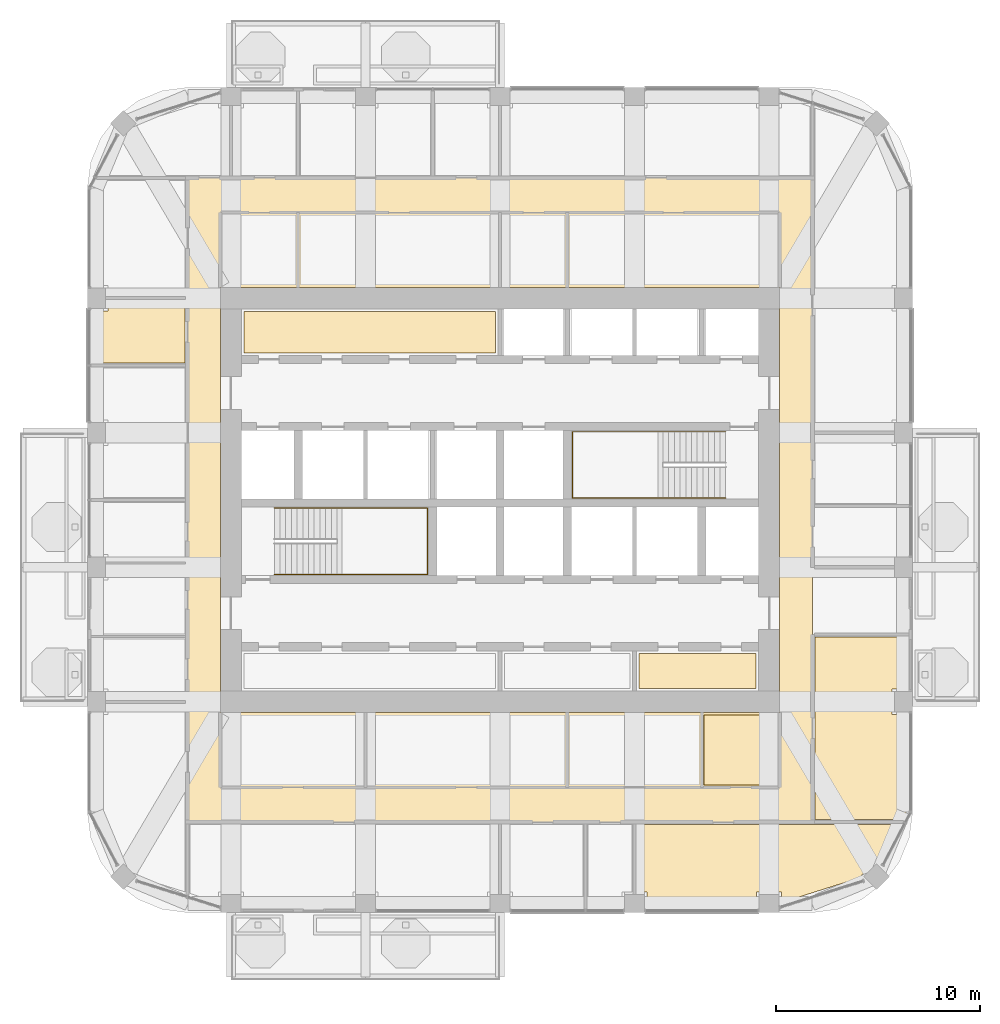
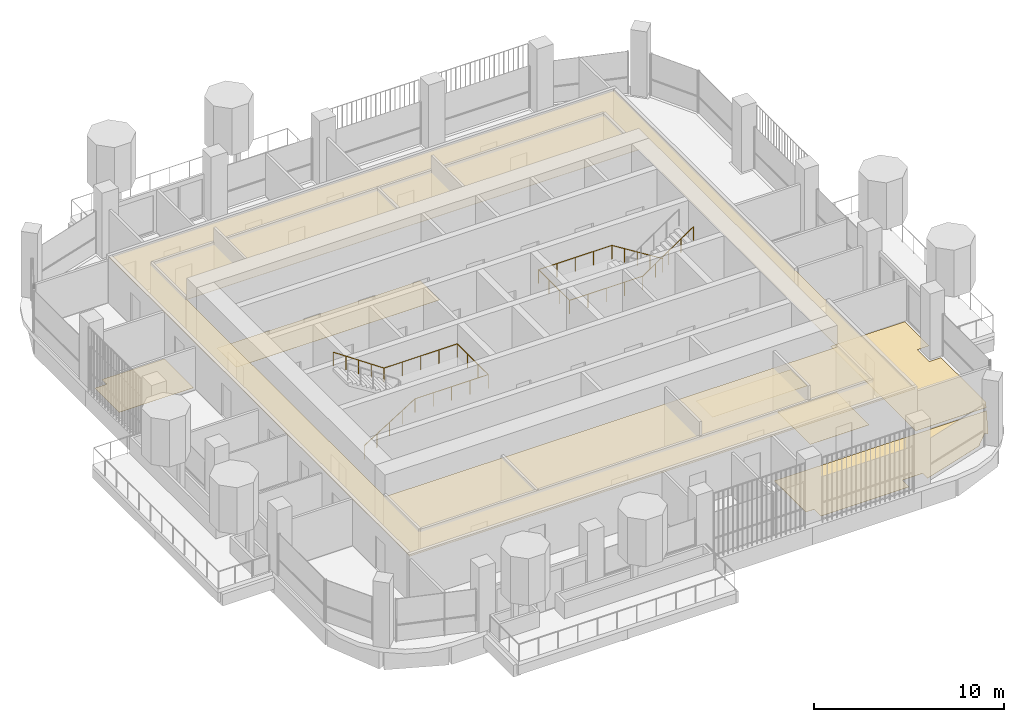
# One storey, part 16 of 18: 7 coverings, 2 railings.
"""IFC4 building model written with IfcOpenShell, lengths in metres."""

import ifcopenshell
import ifcopenshell.guid

model = None  # the IFC model being written
_history = None  # IfcOwnerHistory: only IFC2X3 demands one
_inside = {}  # id of a spatial element -> (the spatial element, [elements in it])
_under = {}  # id of a project, library or spatial element -> (it, [spatial elements below it])
_declared = {}  # id of a project -> (the project, [libraries it declares])
_typed = {}  # id of a type object -> (the type object, [elements of that type])
_made_of = {}  # id of a material, layer set ... -> (it, [elements and type objects made of it])


def new_model(schema):
    """Start an empty IFC model of exactly this schema.

    Asked for "IFC4X3", IfcOpenShell would pick the latest addendum, in which some entities
    have other attributes; the version numbers below select the first issue.
    IFC2X3 requires an IfcOwnerHistory on every rooted entity: one is made here for all.
    """
    global model, _history
    if schema == "IFC4X3":
        model = ifcopenshell.file(schema_version=(4, 3, 0, 0))
    else:
        model = ifcopenshell.file(schema=schema)
    _inside.clear()
    _under.clear()
    _declared.clear()
    _typed.clear()
    _made_of.clear()
    _history = None
    if model.schema == "IFC2X3":
        org = make("IfcOrganization", Name="unknown")
        user = make(
            "IfcPersonAndOrganization",
            ThePerson=make("IfcPerson", FamilyName="unknown"),
            TheOrganization=org,
        )
        app = make(
            "IfcApplication",
            ApplicationDeveloper=org,
            Version="unknown",
            ApplicationFullName="unknown",
            ApplicationIdentifier="unknown",
        )
        _history = make(
            "IfcOwnerHistory",
            OwningUser=user,
            OwningApplication=app,
            ChangeAction="ADDED",
            CreationDate=0,
        )
    return model


def make(cls, **values):
    """One entity of the class cls with the attributes given. An attribute that is None is left unset."""
    return model.create_entity(
        cls, **{name: value for name, value in values.items() if value is not None}
    )


def rooted(cls, **values):
    """An entity with a GlobalId (a new one), such as an element, a storey or a relation."""
    return make(cls, GlobalId=ifcopenshell.guid.new(), OwnerHistory=_history, **values)


def si_unit(unit_type, name, prefix=None):
    """IfcSIUnit, for example si_unit("LENGTHUNIT", "METRE", prefix="MILLI")."""
    return make("IfcSIUnit", UnitType=unit_type, Prefix=prefix, Name=name)


def assignment(units):
    """IfcUnitAssignment: the units of a project."""
    return None if units is None else make("IfcUnitAssignment", Units=units)


def point(xyz):
    """IfcCartesianPoint."""
    return None if xyz is None else make("IfcCartesianPoint", Coordinates=xyz)


def direction(xyz):
    """IfcDirection."""
    return None if xyz is None else make("IfcDirection", DirectionRatios=xyz)


def frame(location, z_axis=None, x_axis=None):
    """IfcAxis2Placement3D, a coordinate frame: its origin and axes. An axis left out is left unset."""
    return make(
        "IfcAxis2Placement3D",
        Location=point(location),
        Axis=direction(z_axis),
        RefDirection=direction(x_axis),
    )


def origin():
    """The frame at (0, 0, 0) with its axes left unset."""
    return frame((0.0, 0.0, 0.0))


def place(relative_to, where):
    """IfcLocalPlacement: puts the frame where relative to a parent placement (None: the world)."""
    return make(
        "IfcLocalPlacement", PlacementRelTo=relative_to, RelativePlacement=where
    )


def context(
    kind, dimensions, precision=None, world=None, true_north=None, identifier=None
):
    """IfcGeometricRepresentationContext, for example the 3D "Model" context."""
    return make(
        "IfcGeometricRepresentationContext",
        ContextIdentifier=identifier,
        ContextType=kind,
        CoordinateSpaceDimension=dimensions,
        Precision=precision,
        WorldCoordinateSystem=world,
        TrueNorth=true_north,
    )


def subcontext(parent, identifier, kind, view, scale=None):
    """IfcGeometricRepresentationSubContext, for example "Body" below "Model"."""
    return make(
        "IfcGeometricRepresentationSubContext",
        ContextIdentifier=identifier,
        ContextType=kind,
        ParentContext=parent,
        TargetScale=scale,
        TargetView=view,
    )


def project(units=None, contexts=None):
    """IfcProject with its units and contexts."""
    return rooted(
        "IfcProject",
        Name="project",
        RepresentationContexts=contexts,
        UnitsInContext=assignment(units),
    )


def spatial(cls, under=None, at=None, **own):
    """A site, building, storey or space (cls), placed at a placement, below another one or the project."""
    s = rooted(cls, ObjectPlacement=at, **own)
    if under is not None:
        _under.setdefault(under.id(), (under, []))[1].append(s)
    return s


def polyline(points):
    """IfcPolyline through the points."""
    return make("IfcPolyline", Points=[point(p) for p in points])


def outline(outer, holes=None, kind="AREA"):
    """IfcArbitraryClosedProfileDef: a profile drawn as a closed curve; with holes, ...WithVoids."""
    if holes is None:
        return make("IfcArbitraryClosedProfileDef", ProfileType=kind, OuterCurve=outer)
    return make(
        "IfcArbitraryProfileDefWithVoids",
        ProfileType=kind,
        OuterCurve=outer,
        InnerCurves=holes,
    )


def extrude(swept, where, along, depth):
    """IfcExtrudedAreaSolid: the profile swept, set in the frame where, extruded along a direction by depth."""
    return make(
        "IfcExtrudedAreaSolid",
        SweptArea=swept,
        Position=where,
        ExtrudedDirection=direction(along),
        Depth=depth,
    )


def shape(context_of_items, identifier, shape_type, items):
    """IfcShapeRepresentation: the items that make up one representation, for example the "Body"."""
    return make(
        "IfcShapeRepresentation",
        ContextOfItems=context_of_items,
        RepresentationIdentifier=identifier,
        RepresentationType=shape_type,
        Items=items,
    )


def material(Name=None, Category=None):
    """IfcMaterial."""
    return make("IfcMaterial", Name=Name, Category=Category)


def layer(
    of_material, thickness, ventilated=None, Name=None, Category=None, Priority=None
):
    """IfcMaterialLayer: one layer of a wall or slab, of a material (None: an air gap)."""
    return make(
        "IfcMaterialLayer",
        Material=of_material,
        LayerThickness=thickness,
        IsVentilated=ventilated,
        Name=Name,
        Category=Category,
        Priority=Priority,
    )


def layer_set(layers, Name=None):
    """IfcMaterialLayerSet."""
    return make("IfcMaterialLayerSet", MaterialLayers=layers, LayerSetName=Name)


def made_of(thing, what):
    """Note that an element or type object is made of a material, layer set ...; save() writes the relation."""
    if what is not None:
        _made_of.setdefault(what.id(), (what, []))[1].append(thing)
    return thing


def type_object(cls, material=None, **own):
    """A type object (cls), such as IfcWallType, which elements share."""
    return made_of(rooted(cls, **own), material)


def element(
    cls,
    number,
    at=None,
    inside=None,
    cuts=None,
    type_object=None,
    material=None,
    context=None,
    identifier="Body",
    shape_type=None,
    held_by="IfcProductDefinitionShape",
    body=None,
    shapes=None,
    **own,
):
    """One element of the class cls, such as IfcWall. Its Tag is "e" and its number.

    at: its placement. inside: the storey or other place that contains it. cuts: it is an
    opening in that element (IfcRelVoidsElement). A single representation is given by context,
    identifier, shape_type and body (its items); several are given by shapes. held_by: the class
    of the entity that holds the representations. save() writes the other relations.
    """
    e = rooted(cls, Tag="e%d" % number, ObjectPlacement=at, **own)
    if body is not None:
        shapes = [shape(context, identifier, shape_type, body)]
    if shapes is not None:
        e.Representation = make(held_by, Representations=shapes)
    if inside is not None:
        _inside.setdefault(inside.id(), (inside, []))[1].append(e)
    if cuts is not None:
        rooted(
            "IfcRelVoidsElement", RelatingBuildingElement=cuts, RelatedOpeningElement=e
        )
    if type_object is not None:
        _typed.setdefault(type_object.id(), (type_object, []))[1].append(e)
    return made_of(e, material)


def aggregate(whole, parts):
    """IfcRelAggregates: a whole, such as a stair, and the parts it consists of."""
    return rooted("IfcRelAggregates", RelatingObject=whole, RelatedObjects=parts)


def save(model, path):
    """Write the relations noted so far, then the file.

    IfcRelAggregates (storeys below a building ...), IfcRelContainedInSpatialStructure (elements
    in a storey), IfcRelDefinesByType, IfcRelAssociatesMaterial and IfcRelDeclares: one each for
    every whole, place, type object, material and project.
    """
    for whole, parts in _under.values():
        aggregate(whole, parts)
    for where, things in _inside.values():
        rooted(
            "IfcRelContainedInSpatialStructure",
            RelatedElements=things,
            RelatingStructure=where,
        )
    for kind, things in _typed.values():
        rooted("IfcRelDefinesByType", RelatedObjects=things, RelatingType=kind)
    for what, things in _made_of.values():
        rooted("IfcRelAssociatesMaterial", RelatedObjects=things, RelatingMaterial=what)
    for by, libraries in _declared.values():
        rooted("IfcRelDeclares", RelatingContext=by, RelatedDefinitions=libraries)
    model.write(path)


model = new_model("IFC4")

# Units and contexts
model_context = context("Model", 3, precision=1e-05, world=origin(), true_north=direction((0.0, 1.0)))
body_context = subcontext(model_context, "Body", "Model", "MODEL_VIEW")
ifc_project = project(units=[si_unit("LENGTHUNIT", "METRE"), si_unit("AREAUNIT", "SQUARE_METRE"), si_unit("VOLUMEUNIT", "CUBIC_METRE"), si_unit("PLANEANGLEUNIT", "RADIAN"), si_unit("MASSUNIT", "GRAM", prefix="KILO")], contexts=[model_context])

# Site, building, storey
site_placement = place(None, origin())
site = spatial("IfcSite", under=ifc_project, at=site_placement, CompositionType="ELEMENT")
building_placement = place(site_placement, origin())
building = spatial("IfcBuilding", under=site, at=building_placement, Name="Cobogo Forest Laboratory Tower", CompositionType="ELEMENT")
storey_placement = place(building_placement, frame((0.0, 0.0, 271.199951171875)))
storey = spatial("IfcBuildingStorey", under=building, at=storey_placement, Name="L62", CompositionType="ELEMENT", Elevation=271.199951171875)

# Coverings
ifc_material_1 = material(Name="Mineral fibre ceiling tile", Category="ceiling")
ifc_layer_1 = layer(ifc_material_1, 0.02001953125)
ifc_layer_set_1 = layer_set([ifc_layer_1], Name="CL1 suspended ceiling")
covering_type_1 = type_object("IfcCoveringType", Name="CL1 suspended ceiling", PredefinedType="CEILING", material=ifc_layer_set_1)
covering_1_placement = place(storey_placement, frame((0.0, 0.0, 2.800048828125)))
element("IfcCovering", 1, at=covering_1_placement, inside=storey, type_object=covering_type_1, Name="Corridor ceiling L62", PredefinedType="CEILING", context=body_context, shape_type="SweptSolid", body=[
    extrude(outline(polyline([(11.074951171875, 7.300048828125), (11.074951171875, 38.89990234375), (41.72509765625, 38.89990234375), (41.72509765625, 7.300048828125), (11.074951171875, 7.300048828125)]), holes=[polyline([(40.125, 33.52490234375), (12.675048828125, 33.52490234375), (12.675048828125, 12.675048828125), (40.125, 12.675048828125), (40.125, 33.52490234375)])]), origin(), (0.0, 0.0, 1.0), 0.02001953125),
])
ifc_material_2 = material(Name="Carpet tile on raised access floor", Category="flooring")
ifc_layer_2 = layer(ifc_material_2, 0.008056640625)
ifc_layer_set_2 = layer_set([ifc_layer_2], Name="CT1 carpet tile floor 8")
covering_type_2 = type_object("IfcCoveringType", Name="CT1 carpet tile floor 8", PredefinedType="FLOORING", material=ifc_layer_set_2)
covering_2_placement = place(storey_placement, origin())
element("IfcCovering", 2, at=covering_2_placement, inside=storey, type_object=covering_type_2, Name="Carpet floor L62-08", PredefinedType="FLOORING", context=body_context, shape_type="SweptSolid", body=[
    extrude(outline(polyline([(40.0048828125, 9.1201171875), (36.419921875, 9.1201171875), (36.419921875, 12.554931640625), (40.0048828125, 12.554931640625), (40.0048828125, 9.1201171875)])), origin(), (0.0, 0.0, 1.0), 0.008056640625),
])
covering_3_placement = place(storey_placement, origin())
element("IfcCovering", 3, at=covering_3_placement, inside=storey, type_object=covering_type_2, Name="Carpet floor L62-12", PredefinedType="FLOORING", context=body_context, shape_type="SweptSolid", body=[
    extrude(outline(polyline([(44.10986328125, 4.583984375), (40.219970703125, 3.35546875), (40.219970703125, 3.8701171875), (38.97998046875, 3.8701171875), (38.97998046875, 3.14990234375), (33.6201171875, 3.14990234375), (33.6201171875, 3.8701171875), (33.1201171875, 3.8701171875), (33.1201171875, 7.179931640625), (45.999267578125, 7.179931640625), (45.010986328125, 5.294921875), (44.882080078125, 5.424072265625), (44.075927734375, 4.617919921875), (44.10986328125, 4.583984375)])), origin(), (0.0, 0.0, 1.0), 0.008056640625),
])
covering_4_placement = place(storey_placement, origin())
element("IfcCovering", 4, at=covering_4_placement, inside=storey, type_object=covering_type_2, Name="Carpet floor L62-13", PredefinedType="FLOORING", context=body_context, shape_type="SweptSolid", body=[
    extrude(outline(polyline([(41.844970703125, 16.3798828125), (46.35009765625, 16.3798828125), (46.35009765625, 13.820068359375), (45.6298828125, 13.820068359375), (45.6298828125, 12.580078125), (46.35009765625, 12.580078125), (46.35009765625, 7.84912109375), (46.125, 7.419921875), (41.844970703125, 7.419921875), (41.844970703125, 16.3798828125)])), origin(), (0.0, 0.0, 1.0), 0.008056640625),
])
covering_5_placement = place(storey_placement, origin())
element("IfcCovering", 5, at=covering_5_placement, inside=storey, type_object=covering_type_2, Name="Carpet floor L62-27", PredefinedType="FLOORING", context=body_context, shape_type="SweptSolid", body=[
    extrude(outline(polyline([(10.955078125, 29.820068359375), (6.449951171875, 29.820068359375), (6.449951171875, 32.3798828125), (7.169921875, 32.3798828125), (7.169921875, 32.8798828125), (10.955078125, 32.8798828125), (10.955078125, 29.820068359375)])), origin(), (0.0, 0.0, 1.0), 0.008056640625),
])
covering_6_placement = place(storey_placement, origin())
element("IfcCovering", 6, at=covering_6_placement, inside=storey, type_object=covering_type_2, Name="Carpet floor L62-38", PredefinedType="FLOORING", context=body_context, shape_type="SweptSolid", body=[
    extrude(outline(polyline([(38.955078125, 13.844970703125), (33.219970703125, 13.844970703125), (33.219970703125, 15.580078125), (38.955078125, 15.580078125), (38.955078125, 13.844970703125)])), origin(), (0.0, 0.0, 1.0), 0.008056640625),
])
covering_7_placement = place(storey_placement, origin())
element("IfcCovering", 7, at=covering_7_placement, inside=storey, type_object=covering_type_2, Name="Carpet floor L62-39", PredefinedType="FLOORING", context=body_context, shape_type="SweptSolid", body=[
    extrude(outline(polyline([(26.179931640625, 30.320068359375), (13.844970703125, 30.320068359375), (13.844970703125, 32.35498046875), (26.179931640625, 32.35498046875), (26.179931640625, 30.320068359375)])), origin(), (0.0, 0.0, 1.0), 0.008056640625),
])

# Railings
ifc_material_3 = material(Name="Stainless steel handrail", Category="steel")
railing_type = type_object("IfcRailingType", Name="HR handrail 900", PredefinedType="HANDRAIL", material=ifc_material_3)
railing_1_placement = place(storey_placement, frame((15.324951171875, 19.449951171875, 0.175048828125)))
element("IfcRailing", 8, at=railing_1_placement, inside=storey, type_object=railing_type, Name="Stair handrail ST1 L62", PredefinedType="HANDRAIL", context=body_context, shape_type="SweptSolid", body=[
    extrude(outline(polyline([(0.022216796875, 0.00927734375), (0.00927734375, 0.022216796875), (-0.00927734375, 0.022216796875), (-0.022216796875, 0.00927734375), (-0.022216796875, -0.00927734375), (-0.00927734375, -0.022216796875), (0.00927734375, -0.022216796875), (0.022216796875, -0.00927734375), (0.022216796875, 0.00927734375)])), frame((0.0, 0.0, 0.877685546875), z_axis=(0.847998304005, 0.0, 0.529998940003), x_axis=(0.0, 1.0, 0.0)), (0.0, 0.0, 1.0), 3.632080078125),
    extrude(outline(polyline([(0.022216796875, 0.00927734375), (0.00927734375, 0.022216796875), (-0.00927734375, 0.022216796875), (-0.022216796875, 0.00927734375), (-0.022216796875, -0.00927734375), (-0.00927734375, -0.022216796875), (0.00927734375, -0.022216796875), (0.022216796875, -0.00927734375), (0.022216796875, 0.00927734375)])), frame((3.080078125, 0.0, 2.802734375), z_axis=(1.0, 0.0, 0.0), x_axis=(0.0, 1.0, 0.0)), (0.0, 0.0, 1.0), 4.445068359375),
    extrude(outline(polyline([(0.022216796875, 0.00927734375), (0.00927734375, 0.022216796875), (-0.00927734375, 0.022216796875), (-0.022216796875, 0.00927734375), (-0.022216796875, -0.00927734375), (-0.00927734375, -0.022216796875), (0.00927734375, -0.022216796875), (0.022216796875, -0.00927734375), (0.022216796875, 0.00927734375)])), frame((7.525146484375, 0.0, 2.802734375), z_axis=(0.0, 1.0, 0.0), x_axis=(-1.0, 0.0, 0.0)), (0.0, 0.0, 1.0), 3.25),
    extrude(outline(polyline([(0.022216796875, 0.00927734375), (0.00927734375, 0.022216796875), (-0.00927734375, 0.022216796875), (-0.022216796875, 0.00927734375), (-0.022216796875, -0.00927734375), (-0.00927734375, -0.022216796875), (0.00927734375, -0.022216796875), (0.022216796875, -0.00927734375), (0.022216796875, 0.00927734375)])), frame((7.525146484375, 3.25, 2.802734375), z_axis=(-1.0, 0.0, 0.0), x_axis=(0.0, -1.0, 0.0)), (0.0, 0.0, 1.0), 4.445068359375),
    extrude(outline(polyline([(0.022216796875, 0.00927734375), (0.00927734375, 0.022216796875), (-0.00927734375, 0.022216796875), (-0.022216796875, 0.00927734375), (-0.022216796875, -0.00927734375), (-0.00927734375, -0.022216796875), (0.00927734375, -0.022216796875), (0.022216796875, -0.00927734375), (0.022216796875, 0.00927734375)])), frame((3.080078125, 3.25, 2.802734375), z_axis=(-0.826252282691, 0.0, 0.563300244406), x_axis=(0.0, -1.0, 0.0)), (0.0, 0.0, 1.0), 3.727783203125),
    extrude(outline(polyline([(0.019287109375, 0.008056640625), (0.008056640625, 0.019287109375), (-0.008056640625, 0.019287109375), (-0.019287109375, 0.008056640625), (-0.019287109375, -0.008056640625), (-0.008056640625, -0.019287109375), (0.008056640625, -0.019287109375), (0.019287109375, -0.008056640625), (0.019287109375, 0.008056640625)])), origin(), (0.0, 0.0, 1.0), 0.877685546875),
    extrude(outline(polyline([(0.019287109375, 0.008056640625), (0.008056640625, 0.019287109375), (-0.008056640625, 0.019287109375), (-0.019287109375, 0.008056640625), (-0.019287109375, -0.008056640625), (-0.008056640625, -0.019287109375), (0.008056640625, -0.019287109375), (0.019287109375, -0.008056640625), (0.019287109375, 0.008056640625)])), frame((0.77001953125, 0.0, 0.481201171875)), (0.0, 0.0, 1.0), 0.877685546875),
    extrude(outline(polyline([(0.019287109375, 0.008056640625), (0.008056640625, 0.019287109375), (-0.008056640625, 0.019287109375), (-0.019287109375, 0.008056640625), (-0.019287109375, -0.008056640625), (-0.008056640625, -0.019287109375), (0.008056640625, -0.019287109375), (0.019287109375, -0.008056640625), (0.019287109375, 0.008056640625)])), frame((1.5400390625, 0.0, 0.96240234375)), (0.0, 0.0, 1.0), 0.877685546875),
    extrude(outline(polyline([(0.019287109375, 0.008056640625), (0.008056640625, 0.019287109375), (-0.008056640625, 0.019287109375), (-0.019287109375, 0.008056640625), (-0.019287109375, -0.008056640625), (-0.008056640625, -0.019287109375), (0.008056640625, -0.019287109375), (0.019287109375, -0.008056640625), (0.019287109375, 0.008056640625)])), frame((2.31005859375, 0.0, 1.44384765625)), (0.0, 0.0, 1.0), 0.877685546875),
    extrude(outline(polyline([(0.019287109375, 0.008056640625), (0.008056640625, 0.019287109375), (-0.008056640625, 0.019287109375), (-0.019287109375, 0.008056640625), (-0.019287109375, -0.008056640625), (-0.008056640625, -0.019287109375), (0.008056640625, -0.019287109375), (0.019287109375, -0.008056640625), (0.019287109375, 0.008056640625)])), frame((3.080078125, 0.0, 1.925048828125)), (0.0, 0.0, 1.0), 0.877685546875),
    extrude(outline(polyline([(0.019287109375, 0.008056640625), (0.008056640625, 0.019287109375), (-0.008056640625, 0.019287109375), (-0.019287109375, 0.008056640625), (-0.019287109375, -0.008056640625), (-0.008056640625, -0.019287109375), (0.008056640625, -0.019287109375), (0.019287109375, -0.008056640625), (0.019287109375, 0.008056640625)])), frame((4.19140625, 0.0, 1.925048828125)), (0.0, 0.0, 1.0), 0.877685546875),
    extrude(outline(polyline([(0.019287109375, 0.008056640625), (0.008056640625, 0.019287109375), (-0.008056640625, 0.019287109375), (-0.019287109375, 0.008056640625), (-0.019287109375, -0.008056640625), (-0.008056640625, -0.019287109375), (0.008056640625, -0.019287109375), (0.019287109375, -0.008056640625), (0.019287109375, 0.008056640625)])), frame((5.302734375, 0.0, 1.925048828125)), (0.0, 0.0, 1.0), 0.877685546875),
    extrude(outline(polyline([(0.019287109375, 0.008056640625), (0.008056640625, 0.019287109375), (-0.008056640625, 0.019287109375), (-0.019287109375, 0.008056640625), (-0.019287109375, -0.008056640625), (-0.008056640625, -0.019287109375), (0.008056640625, -0.019287109375), (0.019287109375, -0.008056640625), (0.019287109375, 0.008056640625)])), frame((6.413818359375, 0.0, 1.925048828125)), (0.0, 0.0, 1.0), 0.877685546875),
    extrude(outline(polyline([(0.019287109375, 0.008056640625), (0.008056640625, 0.019287109375), (-0.008056640625, 0.019287109375), (-0.019287109375, 0.008056640625), (-0.019287109375, -0.008056640625), (-0.008056640625, -0.019287109375), (0.008056640625, -0.019287109375), (0.019287109375, -0.008056640625), (0.019287109375, 0.008056640625)])), frame((7.525146484375, 0.0, 1.925048828125)), (0.0, 0.0, 1.0), 0.877685546875),
    extrude(outline(polyline([(0.019287109375, 0.008056640625), (0.008056640625, 0.019287109375), (-0.008056640625, 0.019287109375), (-0.019287109375, 0.008056640625), (-0.019287109375, -0.008056640625), (-0.008056640625, -0.019287109375), (0.008056640625, -0.019287109375), (0.019287109375, -0.008056640625), (0.019287109375, 0.008056640625)])), frame((7.525146484375, 1.083251953125, 1.925048828125)), (0.0, 0.0, 1.0), 0.877685546875),
    extrude(outline(polyline([(0.019287109375, 0.008056640625), (0.008056640625, 0.019287109375), (-0.008056640625, 0.019287109375), (-0.019287109375, 0.008056640625), (-0.019287109375, -0.008056640625), (-0.008056640625, -0.019287109375), (0.008056640625, -0.019287109375), (0.019287109375, -0.008056640625), (0.019287109375, 0.008056640625)])), frame((7.525146484375, 2.166748046875, 1.925048828125)), (0.0, 0.0, 1.0), 0.877685546875),
    extrude(outline(polyline([(0.019287109375, 0.008056640625), (0.008056640625, 0.019287109375), (-0.008056640625, 0.019287109375), (-0.019287109375, 0.008056640625), (-0.019287109375, -0.008056640625), (-0.008056640625, -0.019287109375), (0.008056640625, -0.019287109375), (0.019287109375, -0.008056640625), (0.019287109375, 0.008056640625)])), frame((7.525146484375, 3.25, 1.925048828125)), (0.0, 0.0, 1.0), 0.877685546875),
    extrude(outline(polyline([(0.019287109375, 0.008056640625), (0.008056640625, 0.019287109375), (-0.008056640625, 0.019287109375), (-0.019287109375, 0.008056640625), (-0.019287109375, -0.008056640625), (-0.008056640625, -0.019287109375), (0.008056640625, -0.019287109375), (0.019287109375, -0.008056640625), (0.019287109375, 0.008056640625)])), frame((6.413818359375, 3.25, 1.925048828125)), (0.0, 0.0, 1.0), 0.877685546875),
    extrude(outline(polyline([(0.019287109375, 0.008056640625), (0.008056640625, 0.019287109375), (-0.008056640625, 0.019287109375), (-0.019287109375, 0.008056640625), (-0.019287109375, -0.008056640625), (-0.008056640625, -0.019287109375), (0.008056640625, -0.019287109375), (0.019287109375, -0.008056640625), (0.019287109375, 0.008056640625)])), frame((5.302734375, 3.25, 1.925048828125)), (0.0, 0.0, 1.0), 0.877685546875),
    extrude(outline(polyline([(0.019287109375, 0.008056640625), (0.008056640625, 0.019287109375), (-0.008056640625, 0.019287109375), (-0.019287109375, 0.008056640625), (-0.019287109375, -0.008056640625), (-0.008056640625, -0.019287109375), (0.008056640625, -0.019287109375), (0.019287109375, -0.008056640625), (0.019287109375, 0.008056640625)])), frame((4.19140625, 3.25, 1.925048828125)), (0.0, 0.0, 1.0), 0.877685546875),
    extrude(outline(polyline([(0.019287109375, 0.008056640625), (0.008056640625, 0.019287109375), (-0.008056640625, 0.019287109375), (-0.019287109375, 0.008056640625), (-0.019287109375, -0.008056640625), (-0.008056640625, -0.019287109375), (0.008056640625, -0.019287109375), (0.019287109375, -0.008056640625), (0.019287109375, 0.008056640625)])), frame((3.080078125, 3.25, 1.925048828125)), (0.0, 0.0, 1.0), 0.877685546875),
    extrude(outline(polyline([(0.019287109375, 0.008056640625), (0.008056640625, 0.019287109375), (-0.008056640625, 0.019287109375), (-0.019287109375, 0.008056640625), (-0.019287109375, -0.008056640625), (-0.008056640625, -0.019287109375), (0.008056640625, -0.019287109375), (0.019287109375, -0.008056640625), (0.019287109375, 0.008056640625)])), frame((2.31005859375, 3.25, 2.449951171875)), (0.0, 0.0, 1.0), 0.877685546875),
    extrude(outline(polyline([(0.019287109375, 0.008056640625), (0.008056640625, 0.019287109375), (-0.008056640625, 0.019287109375), (-0.019287109375, 0.008056640625), (-0.019287109375, -0.008056640625), (-0.008056640625, -0.019287109375), (0.008056640625, -0.019287109375), (0.019287109375, -0.008056640625), (0.019287109375, 0.008056640625)])), frame((1.5400390625, 3.25, 2.97509765625)), (0.0, 0.0, 1.0), 0.877685546875),
    extrude(outline(polyline([(0.019287109375, 0.008056640625), (0.008056640625, 0.019287109375), (-0.008056640625, 0.019287109375), (-0.019287109375, 0.008056640625), (-0.019287109375, -0.008056640625), (-0.008056640625, -0.019287109375), (0.008056640625, -0.019287109375), (0.019287109375, -0.008056640625), (0.019287109375, 0.008056640625)])), frame((0.77001953125, 3.25, 3.5)), (0.0, 0.0, 1.0), 0.877685546875),
    extrude(outline(polyline([(0.019287109375, 0.008056640625), (0.008056640625, 0.019287109375), (-0.008056640625, 0.019287109375), (-0.019287109375, 0.008056640625), (-0.019287109375, -0.008056640625), (-0.008056640625, -0.019287109375), (0.008056640625, -0.019287109375), (0.019287109375, -0.008056640625), (0.019287109375, 0.008056640625)])), frame((0.0, 3.25, 4.02490234375)), (0.0, 0.0, 1.0), 0.877685546875),
])
railing_2_placement = place(storey_placement, frame((37.47509765625, 26.449951171875, 0.175048828125)))
element("IfcRailing", 9, at=railing_2_placement, inside=storey, type_object=railing_type, Name="Stair handrail ST2 L62", PredefinedType="HANDRAIL", context=body_context, shape_type="SweptSolid", body=[
    extrude(outline(polyline([(0.022216796875, 0.00927734375), (0.00927734375, 0.022216796875), (-0.00927734375, 0.022216796875), (-0.022216796875, 0.00927734375), (-0.022216796875, -0.00927734375), (-0.00927734375, -0.022216796875), (0.00927734375, -0.022216796875), (0.022216796875, -0.00927734375), (0.022216796875, 0.00927734375)])), frame((0.0, 0.0, 0.877685546875), z_axis=(-0.847998304005, 0.0, 0.529998940003), x_axis=(0.0, -1.0, 0.0)), (0.0, 0.0, 1.0), 3.632080078125),
    extrude(outline(polyline([(0.022216796875, 0.00927734375), (0.00927734375, 0.022216796875), (-0.00927734375, 0.022216796875), (-0.022216796875, 0.00927734375), (-0.022216796875, -0.00927734375), (-0.00927734375, -0.022216796875), (0.00927734375, -0.022216796875), (0.022216796875, -0.00927734375), (0.022216796875, 0.00927734375)])), frame((-3.080078125, 0.0, 2.802734375), z_axis=(-1.0, 0.0, 0.0), x_axis=(0.0, -1.0, 0.0)), (0.0, 0.0, 1.0), 4.445068359375),
    extrude(outline(polyline([(0.022216796875, 0.00927734375), (0.00927734375, 0.022216796875), (-0.00927734375, 0.022216796875), (-0.022216796875, 0.00927734375), (-0.022216796875, -0.00927734375), (-0.00927734375, -0.022216796875), (0.00927734375, -0.022216796875), (0.022216796875, -0.00927734375), (0.022216796875, 0.00927734375)])), frame((-7.525146484375, 0.0, 2.802734375), z_axis=(0.0, -1.0, 0.0), x_axis=(1.0, 0.0, 0.0)), (0.0, 0.0, 1.0), 3.25),
    extrude(outline(polyline([(0.022216796875, 0.00927734375), (0.00927734375, 0.022216796875), (-0.00927734375, 0.022216796875), (-0.022216796875, 0.00927734375), (-0.022216796875, -0.00927734375), (-0.00927734375, -0.022216796875), (0.00927734375, -0.022216796875), (0.022216796875, -0.00927734375), (0.022216796875, 0.00927734375)])), frame((-7.525146484375, -3.25, 2.802734375), z_axis=(1.0, 0.0, 0.0), x_axis=(0.0, 1.0, 0.0)), (0.0, 0.0, 1.0), 4.445068359375),
    extrude(outline(polyline([(0.022216796875, 0.00927734375), (0.00927734375, 0.022216796875), (-0.00927734375, 0.022216796875), (-0.022216796875, 0.00927734375), (-0.022216796875, -0.00927734375), (-0.00927734375, -0.022216796875), (0.00927734375, -0.022216796875), (0.022216796875, -0.00927734375), (0.022216796875, 0.00927734375)])), frame((-3.080078125, -3.25, 2.802734375), z_axis=(0.826252282691, 0.0, 0.563300244406), x_axis=(0.0, 1.0, 0.0)), (0.0, 0.0, 1.0), 3.727783203125),
    extrude(outline(polyline([(0.019287109375, 0.008056640625), (0.008056640625, 0.019287109375), (-0.008056640625, 0.019287109375), (-0.019287109375, 0.008056640625), (-0.019287109375, -0.008056640625), (-0.008056640625, -0.019287109375), (0.008056640625, -0.019287109375), (0.019287109375, -0.008056640625), (0.019287109375, 0.008056640625)])), origin(), (0.0, 0.0, 1.0), 0.877685546875),
    extrude(outline(polyline([(0.019287109375, 0.008056640625), (0.008056640625, 0.019287109375), (-0.008056640625, 0.019287109375), (-0.019287109375, 0.008056640625), (-0.019287109375, -0.008056640625), (-0.008056640625, -0.019287109375), (0.008056640625, -0.019287109375), (0.019287109375, -0.008056640625), (0.019287109375, 0.008056640625)])), frame((-0.77001953125, 0.0, 0.481201171875)), (0.0, 0.0, 1.0), 0.877685546875),
    extrude(outline(polyline([(0.019287109375, 0.008056640625), (0.008056640625, 0.019287109375), (-0.008056640625, 0.019287109375), (-0.019287109375, 0.008056640625), (-0.019287109375, -0.008056640625), (-0.008056640625, -0.019287109375), (0.008056640625, -0.019287109375), (0.019287109375, -0.008056640625), (0.019287109375, 0.008056640625)])), frame((-1.5400390625, 0.0, 0.96240234375)), (0.0, 0.0, 1.0), 0.877685546875),
    extrude(outline(polyline([(0.019287109375, 0.008056640625), (0.008056640625, 0.019287109375), (-0.008056640625, 0.019287109375), (-0.019287109375, 0.008056640625), (-0.019287109375, -0.008056640625), (-0.008056640625, -0.019287109375), (0.008056640625, -0.019287109375), (0.019287109375, -0.008056640625), (0.019287109375, 0.008056640625)])), frame((-2.31005859375, 0.0, 1.44384765625)), (0.0, 0.0, 1.0), 0.877685546875),
    extrude(outline(polyline([(0.019287109375, 0.008056640625), (0.008056640625, 0.019287109375), (-0.008056640625, 0.019287109375), (-0.019287109375, 0.008056640625), (-0.019287109375, -0.008056640625), (-0.008056640625, -0.019287109375), (0.008056640625, -0.019287109375), (0.019287109375, -0.008056640625), (0.019287109375, 0.008056640625)])), frame((-3.080078125, 0.0, 1.925048828125)), (0.0, 0.0, 1.0), 0.877685546875),
    extrude(outline(polyline([(0.019287109375, 0.008056640625), (0.008056640625, 0.019287109375), (-0.008056640625, 0.019287109375), (-0.019287109375, 0.008056640625), (-0.019287109375, -0.008056640625), (-0.008056640625, -0.019287109375), (0.008056640625, -0.019287109375), (0.019287109375, -0.008056640625), (0.019287109375, 0.008056640625)])), frame((-4.19140625, 0.0, 1.925048828125)), (0.0, 0.0, 1.0), 0.877685546875),
    extrude(outline(polyline([(0.019287109375, 0.008056640625), (0.008056640625, 0.019287109375), (-0.008056640625, 0.019287109375), (-0.019287109375, 0.008056640625), (-0.019287109375, -0.008056640625), (-0.008056640625, -0.019287109375), (0.008056640625, -0.019287109375), (0.019287109375, -0.008056640625), (0.019287109375, 0.008056640625)])), frame((-5.302734375, 0.0, 1.925048828125)), (0.0, 0.0, 1.0), 0.877685546875),
    extrude(outline(polyline([(0.019287109375, 0.008056640625), (0.008056640625, 0.019287109375), (-0.008056640625, 0.019287109375), (-0.019287109375, 0.008056640625), (-0.019287109375, -0.008056640625), (-0.008056640625, -0.019287109375), (0.008056640625, -0.019287109375), (0.019287109375, -0.008056640625), (0.019287109375, 0.008056640625)])), frame((-6.413818359375, 0.0, 1.925048828125)), (0.0, 0.0, 1.0), 0.877685546875),
    extrude(outline(polyline([(0.019287109375, 0.008056640625), (0.008056640625, 0.019287109375), (-0.008056640625, 0.019287109375), (-0.019287109375, 0.008056640625), (-0.019287109375, -0.008056640625), (-0.008056640625, -0.019287109375), (0.008056640625, -0.019287109375), (0.019287109375, -0.008056640625), (0.019287109375, 0.008056640625)])), frame((-7.525146484375, 0.0, 1.925048828125)), (0.0, 0.0, 1.0), 0.877685546875),
    extrude(outline(polyline([(0.019287109375, 0.008056640625), (0.008056640625, 0.019287109375), (-0.008056640625, 0.019287109375), (-0.019287109375, 0.008056640625), (-0.019287109375, -0.008056640625), (-0.008056640625, -0.019287109375), (0.008056640625, -0.019287109375), (0.019287109375, -0.008056640625), (0.019287109375, 0.008056640625)])), frame((-7.525146484375, -1.083251953125, 1.925048828125)), (0.0, 0.0, 1.0), 0.877685546875),
    extrude(outline(polyline([(0.019287109375, 0.008056640625), (0.008056640625, 0.019287109375), (-0.008056640625, 0.019287109375), (-0.019287109375, 0.008056640625), (-0.019287109375, -0.008056640625), (-0.008056640625, -0.019287109375), (0.008056640625, -0.019287109375), (0.019287109375, -0.008056640625), (0.019287109375, 0.008056640625)])), frame((-7.525146484375, -2.166748046875, 1.925048828125)), (0.0, 0.0, 1.0), 0.877685546875),
    extrude(outline(polyline([(0.019287109375, 0.008056640625), (0.008056640625, 0.019287109375), (-0.008056640625, 0.019287109375), (-0.019287109375, 0.008056640625), (-0.019287109375, -0.008056640625), (-0.008056640625, -0.019287109375), (0.008056640625, -0.019287109375), (0.019287109375, -0.008056640625), (0.019287109375, 0.008056640625)])), frame((-7.525146484375, -3.25, 1.925048828125)), (0.0, 0.0, 1.0), 0.877685546875),
    extrude(outline(polyline([(0.019287109375, 0.008056640625), (0.008056640625, 0.019287109375), (-0.008056640625, 0.019287109375), (-0.019287109375, 0.008056640625), (-0.019287109375, -0.008056640625), (-0.008056640625, -0.019287109375), (0.008056640625, -0.019287109375), (0.019287109375, -0.008056640625), (0.019287109375, 0.008056640625)])), frame((-6.413818359375, -3.25, 1.925048828125)), (0.0, 0.0, 1.0), 0.877685546875),
    extrude(outline(polyline([(0.019287109375, 0.008056640625), (0.008056640625, 0.019287109375), (-0.008056640625, 0.019287109375), (-0.019287109375, 0.008056640625), (-0.019287109375, -0.008056640625), (-0.008056640625, -0.019287109375), (0.008056640625, -0.019287109375), (0.019287109375, -0.008056640625), (0.019287109375, 0.008056640625)])), frame((-5.302734375, -3.25, 1.925048828125)), (0.0, 0.0, 1.0), 0.877685546875),
    extrude(outline(polyline([(0.019287109375, 0.008056640625), (0.008056640625, 0.019287109375), (-0.008056640625, 0.019287109375), (-0.019287109375, 0.008056640625), (-0.019287109375, -0.008056640625), (-0.008056640625, -0.019287109375), (0.008056640625, -0.019287109375), (0.019287109375, -0.008056640625), (0.019287109375, 0.008056640625)])), frame((-4.19140625, -3.25, 1.925048828125)), (0.0, 0.0, 1.0), 0.877685546875),
    extrude(outline(polyline([(0.019287109375, 0.008056640625), (0.008056640625, 0.019287109375), (-0.008056640625, 0.019287109375), (-0.019287109375, 0.008056640625), (-0.019287109375, -0.008056640625), (-0.008056640625, -0.019287109375), (0.008056640625, -0.019287109375), (0.019287109375, -0.008056640625), (0.019287109375, 0.008056640625)])), frame((-3.080078125, -3.25, 1.925048828125)), (0.0, 0.0, 1.0), 0.877685546875),
    extrude(outline(polyline([(0.019287109375, 0.008056640625), (0.008056640625, 0.019287109375), (-0.008056640625, 0.019287109375), (-0.019287109375, 0.008056640625), (-0.019287109375, -0.008056640625), (-0.008056640625, -0.019287109375), (0.008056640625, -0.019287109375), (0.019287109375, -0.008056640625), (0.019287109375, 0.008056640625)])), frame((-2.31005859375, -3.25, 2.449951171875)), (0.0, 0.0, 1.0), 0.877685546875),
    extrude(outline(polyline([(0.019287109375, 0.008056640625), (0.008056640625, 0.019287109375), (-0.008056640625, 0.019287109375), (-0.019287109375, 0.008056640625), (-0.019287109375, -0.008056640625), (-0.008056640625, -0.019287109375), (0.008056640625, -0.019287109375), (0.019287109375, -0.008056640625), (0.019287109375, 0.008056640625)])), frame((-1.5400390625, -3.25, 2.97509765625)), (0.0, 0.0, 1.0), 0.877685546875),
    extrude(outline(polyline([(0.019287109375, 0.008056640625), (0.008056640625, 0.019287109375), (-0.008056640625, 0.019287109375), (-0.019287109375, 0.008056640625), (-0.019287109375, -0.008056640625), (-0.008056640625, -0.019287109375), (0.008056640625, -0.019287109375), (0.019287109375, -0.008056640625), (0.019287109375, 0.008056640625)])), frame((-0.77001953125, -3.25, 3.5)), (0.0, 0.0, 1.0), 0.877685546875),
    extrude(outline(polyline([(0.019287109375, 0.008056640625), (0.008056640625, 0.019287109375), (-0.008056640625, 0.019287109375), (-0.019287109375, 0.008056640625), (-0.019287109375, -0.008056640625), (-0.008056640625, -0.019287109375), (0.008056640625, -0.019287109375), (0.019287109375, -0.008056640625), (0.019287109375, 0.008056640625)])), frame((0.0, -3.25, 4.02490234375)), (0.0, 0.0, 1.0), 0.877685546875),
])

save(model, "model.ifc")
